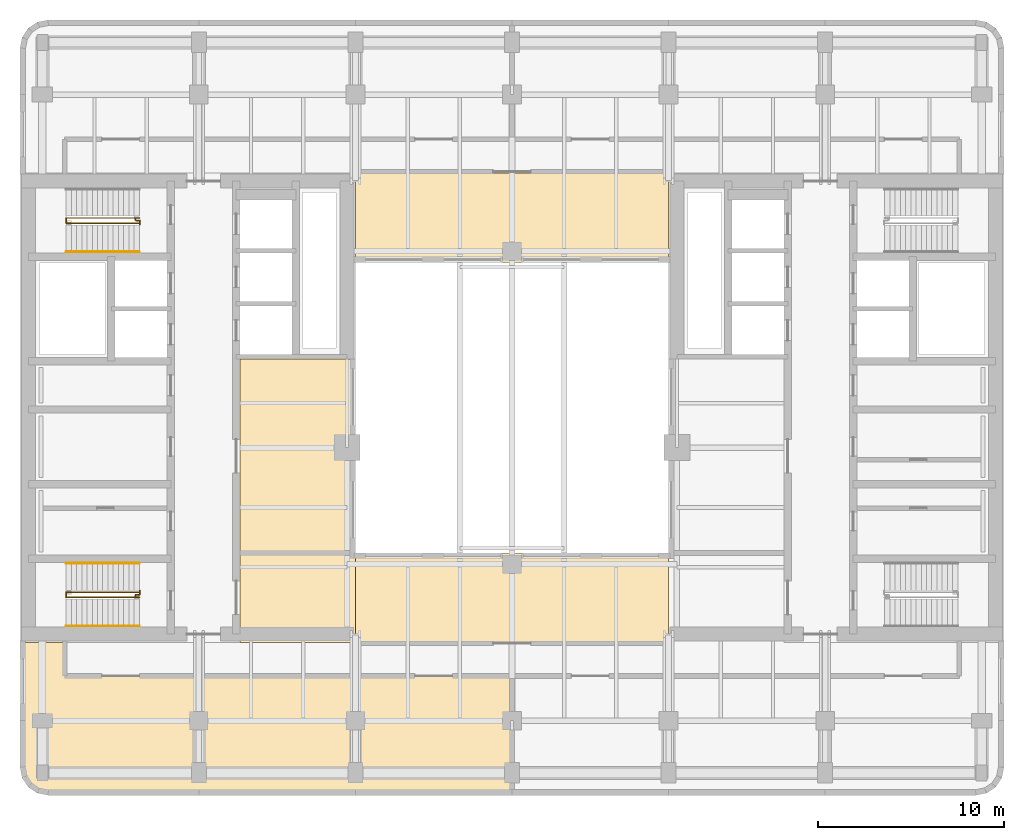
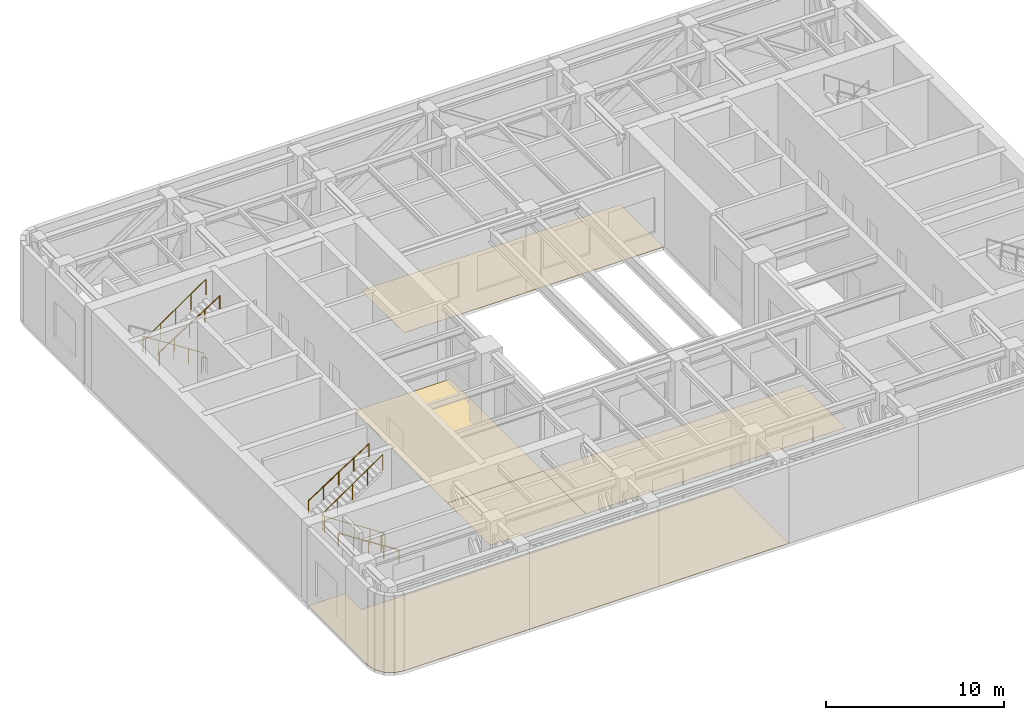
# One storey, part 8 of 10: 7 railings, 5 coverings.
"""IFC4 building model written with IfcOpenShell, lengths in metres."""

from ifc_helpers import new_model, si_unit, direction, frame, origin, origin_2d, place, context, subcontext, project, spatial, polyline, circle, outline, extrude, material, layer, layer_set, type_object, element, save


model = new_model("IFC4")

# Units and contexts
model_context = context("Model", 3, precision=1e-05, world=origin(), true_north=direction((0.0, 1.0)))
body_context = subcontext(model_context, "Body", "Model", "MODEL_VIEW")
ifc_project = project(units=[si_unit("LENGTHUNIT", "METRE"), si_unit("AREAUNIT", "SQUARE_METRE"), si_unit("VOLUMEUNIT", "CUBIC_METRE"), si_unit("PLANEANGLEUNIT", "RADIAN"), si_unit("MASSUNIT", "GRAM", prefix="KILO")], contexts=[model_context])

# Site, building, storey
site_placement = place(None, origin())
site = spatial("IfcSite", under=ifc_project, at=site_placement, CompositionType="ELEMENT")
building_placement = place(site_placement, origin())
building = spatial("IfcBuilding", under=site, at=building_placement, Name="Claustro Exchange Tower", CompositionType="ELEMENT")
storey_placement = place(building_placement, frame((0.0, 0.0, 244.800048828125)))
storey = spatial("IfcBuildingStorey", under=building, at=storey_placement, Name="L56", CompositionType="ELEMENT", Elevation=244.800048828125)

# Coverings
ifc_material_1 = material(Name="Epoxy resin floor finish", Category="resin")
ifc_layer = layer(ifc_material_1, 0.006103515625)
ifc_layer_set = layer_set([ifc_layer], Name="Epoxy resin floor finish")
covering_type = type_object("IfcCoveringType", Name="FL2 resin plant room floor", PredefinedType="FLOORING", material=ifc_layer_set)
covering_1_placement = place(storey_placement, origin())
element("IfcCovering", 1, at=covering_1_placement, inside=storey, type_object=covering_type, Name="Resin floor FL2 L56-01", PredefinedType="FLOORING", context=body_context, shape_type="SweptSolid", body=[
    extrude(outline(polyline([(-1.085693359375, 5.325927734375), (-0.7607421875, 4.83935546875), (-0.27392578125, 4.51416015625), (0.300048828125, 4.39990234375), (25.199951171875, 4.39990234375), (25.199951171875, 10.800048828125), (1.199951171875, 10.800048828125), (1.199951171875, 12.60009765625), (-1.199951171875, 12.60009765625), (-1.199951171875, 5.89990234375), (-1.085693359375, 5.325927734375)])), origin(), (0.0, 0.0, 1.0), 0.005859375),
])
covering_2_placement = place(storey_placement, origin())
element("IfcCovering", 2, at=covering_2_placement, inside=storey, type_object=covering_type, Name="Resin floor FL2 L56-04", PredefinedType="FLOORING", context=body_context, shape_type="SweptSolid", body=[
    extrude(outline(polyline([(16.800048828125, 17.39990234375), (10.60009765625, 17.39990234375), (10.60009765625, 12.60009765625), (16.800048828125, 12.60009765625), (16.800048828125, 17.39990234375)])), origin(), (0.0, 0.0, 1.0), 0.005859375),
])
covering_3_placement = place(storey_placement, origin())
element("IfcCovering", 3, at=covering_3_placement, inside=storey, type_object=covering_type, Name="Resin floor FL2 L56-05", PredefinedType="FLOORING", context=body_context, shape_type="SweptSolid", body=[
    extrude(outline(polyline([(33.60009765625, 17.39990234375), (16.800048828125, 17.39990234375), (16.800048828125, 12.60009765625), (33.60009765625, 12.60009765625), (33.60009765625, 17.39990234375)])), origin(), (0.0, 0.0, 1.0), 0.005859375),
])
covering_4_placement = place(storey_placement, origin())
element("IfcCovering", 4, at=covering_4_placement, inside=storey, type_object=covering_type, Name="Resin floor FL2 L56-06", PredefinedType="FLOORING", context=body_context, shape_type="SweptSolid", body=[
    extrude(outline(polyline([(16.800048828125, 17.39990234375), (16.800048828125, 27.800048828125), (10.60009765625, 27.800048828125), (10.60009765625, 17.39990234375), (16.800048828125, 17.39990234375)])), origin(), (0.0, 0.0, 1.0), 0.005859375),
])
covering_5_placement = place(storey_placement, origin())
element("IfcCovering", 5, at=covering_5_placement, inside=storey, type_object=covering_type, Name="Resin floor FL2 L56-08", PredefinedType="FLOORING", context=body_context, shape_type="SweptSolid", body=[
    extrude(outline(polyline([(33.60009765625, 33.0), (33.60009765625, 37.800048828125), (16.800048828125, 37.800048828125), (16.800048828125, 33.0), (33.60009765625, 33.0)])), origin(), (0.0, 0.0, 1.0), 0.005859375),
])

# Railings
ifc_material_2 = material(Name="Steel balustrade, painted", Category="steel")
railing_type_1 = type_object("IfcRailingType", Name="GR2 1100 steel stair guard", PredefinedType="GUARDRAIL", material=ifc_material_2)
railing_1_placement = place(storey_placement, frame((5.199951171875, 15.02490234375, 0.179931640625)))
element("IfcRailing", 6, at=railing_1_placement, inside=storey, type_object=railing_type_1, Name="Stair well guard GR2 stair STWA L56", PredefinedType="GUARDRAIL", context=body_context, shape_type="SweptSolid", body=[
    extrude(circle(Radius=0.02392578125, at=origin_2d()), frame((0.0, 0.0, 1.076171875), z_axis=(-0.841171666519, 0.0, 0.540768182723), x_axis=(0.0, -1.0, 0.0)), (0.0, 0.0, 1.0), 4.66015625),
    extrude(circle(Radius=0.02392578125, at=origin_2d()), frame((-3.919921875, 0.0, 3.59619140625), z_axis=(0.0, 1.0, 0.0), x_axis=(-1.0, 0.0, 0.0)), (0.0, 0.0, 1.0), 0.275146484375),
    extrude(circle(Radius=0.02392578125, at=origin_2d()), frame((-3.919921875, 0.275146484375, 3.59619140625), z_axis=(0.823550731654, 0.0, 0.567242622158), x_axis=(0.0, 1.0, 0.0)), (0.0, 0.0, 1.0), 4.759765625),
    extrude(circle(Radius=0.02099609375, at=origin_2d()), origin(), (0.0, 0.0, 1.0), 1.052001953125),
    extrude(circle(Radius=0.02099609375, at=origin_2d()), frame((-0.97998046875, 0.0, 0.6298828125)), (0.0, 0.0, 1.0), 1.052001953125),
    extrude(circle(Radius=0.02099609375, at=origin_2d()), frame((-1.9599609375, 0.0, 1.260009765625)), (0.0, 0.0, 1.0), 1.052001953125),
    extrude(circle(Radius=0.02099609375, at=origin_2d()), frame((-2.93994140625, 0.0, 1.89013671875)), (0.0, 0.0, 1.0), 1.052001953125),
    extrude(circle(Radius=0.02099609375, at=origin_2d()), frame((-3.919921875, 0.0, 2.52001953125)), (0.0, 0.0, 1.0), 1.052001953125),
    extrude(circle(Radius=0.02099609375, at=origin_2d()), frame((-3.919921875, 0.275146484375, 2.52001953125)), (0.0, 0.0, 1.0), 1.052001953125),
    extrude(circle(Radius=0.02099609375, at=origin_2d()), frame((-2.93994140625, 0.275146484375, 3.195068359375)), (0.0, 0.0, 1.0), 1.052001953125),
    extrude(circle(Radius=0.02099609375, at=origin_2d()), frame((-1.9599609375, 0.275146484375, 3.8701171875)), (0.0, 0.0, 1.0), 1.052001953125),
    extrude(circle(Radius=0.02099609375, at=origin_2d()), frame((-0.97998046875, 0.275146484375, 4.544921875)), (0.0, 0.0, 1.0), 1.052001953125),
    extrude(circle(Radius=0.02099609375, at=origin_2d()), frame((0.0, 0.275146484375, 5.219970703125)), (0.0, 0.0, 1.0), 1.052001953125),
])
railing_2_placement = place(storey_placement, frame((5.0, 15.094970703125, 0.0)))
element("IfcRailing", 7, at=railing_2_placement, inside=storey, type_object=railing_type_1, Name="Stair guard GR2 STWA L56", PredefinedType="GUARDRAIL", context=body_context, shape_type="SweptSolid", body=[
    extrude(circle(Radius=0.02392578125, at=origin_2d()), frame((0.0, 0.0, 1.076171875), z_axis=(0.0, 1.0, 0.0), x_axis=(-1.0, 0.0, 0.0)), (0.0, 0.0, 1.0), 0.067626953125),
    extrude(circle(Radius=0.02392578125, at=origin_2d()), frame((0.0, 0.067626953125, 1.076171875), z_axis=(1.0, 0.0, 0.0), x_axis=(0.0, 1.0, 0.0)), (0.0, 0.0, 1.0), 0.22509765625),
    extrude(circle(Radius=0.02392578125, at=origin_2d()), frame((0.22509765625, 0.067626953125, 1.076171875), z_axis=(0.0, 1.0, 0.0), x_axis=(-1.0, 0.0, 0.0)), (0.0, 0.0, 1.0), 0.21728515625),
    extrude(circle(Radius=0.02099609375, at=origin_2d()), origin(), (0.0, 0.0, 1.0), 1.052001953125),
    extrude(circle(Radius=0.02099609375, at=origin_2d()), frame((0.0, 0.067626953125, 0.0)), (0.0, 0.0, 1.0), 1.052001953125),
    extrude(circle(Radius=0.02099609375, at=origin_2d()), frame((0.22509765625, 0.067626953125, 0.0)), (0.0, 0.0, 1.0), 1.052001953125),
    extrude(circle(Radius=0.02099609375, at=origin_2d()), frame((0.22509765625, 0.284912109375, 0.0)), (0.0, 0.0, 1.0), 1.052001953125),
])
railing_3_placement = place(storey_placement, frame((5.199951171875, 35.375, 0.179931640625)))
element("IfcRailing", 8, at=railing_3_placement, inside=storey, type_object=railing_type_1, Name="Stair well guard GR2 stair STWB L56", PredefinedType="GUARDRAIL", context=body_context, shape_type="SweptSolid", body=[
    extrude(circle(Radius=0.02392578125, at=origin_2d()), frame((0.0, 0.0, 1.076171875), z_axis=(-0.841171666519, 0.0, 0.540768182723), x_axis=(0.0, -1.0, 0.0)), (0.0, 0.0, 1.0), 4.66015625),
    extrude(circle(Radius=0.02392578125, at=origin_2d()), frame((-3.919921875, 0.0, 3.59619140625), z_axis=(0.0, -1.0, 0.0), x_axis=(1.0, 0.0, 0.0)), (0.0, 0.0, 1.0), 0.27490234375),
    extrude(circle(Radius=0.02392578125, at=origin_2d()), frame((-3.919921875, -0.27490234375, 3.59619140625), z_axis=(0.823550731654, 0.0, 0.567242622158), x_axis=(0.0, 1.0, 0.0)), (0.0, 0.0, 1.0), 4.759765625),
    extrude(circle(Radius=0.02099609375, at=origin_2d()), origin(), (0.0, 0.0, 1.0), 1.052001953125),
    extrude(circle(Radius=0.02099609375, at=origin_2d()), frame((-0.97998046875, 0.0, 0.6298828125)), (0.0, 0.0, 1.0), 1.052001953125),
    extrude(circle(Radius=0.02099609375, at=origin_2d()), frame((-1.9599609375, 0.0, 1.260009765625)), (0.0, 0.0, 1.0), 1.052001953125),
    extrude(circle(Radius=0.02099609375, at=origin_2d()), frame((-2.93994140625, 0.0, 1.89013671875)), (0.0, 0.0, 1.0), 1.052001953125),
    extrude(circle(Radius=0.02099609375, at=origin_2d()), frame((-3.919921875, 0.0, 2.52001953125)), (0.0, 0.0, 1.0), 1.052001953125),
    extrude(circle(Radius=0.02099609375, at=origin_2d()), frame((-3.919921875, -0.27490234375, 2.52001953125)), (0.0, 0.0, 1.0), 1.052001953125),
    extrude(circle(Radius=0.02099609375, at=origin_2d()), frame((-2.93994140625, -0.27490234375, 3.195068359375)), (0.0, 0.0, 1.0), 1.052001953125),
    extrude(circle(Radius=0.02099609375, at=origin_2d()), frame((-1.9599609375, -0.27490234375, 3.8701171875)), (0.0, 0.0, 1.0), 1.052001953125),
    extrude(circle(Radius=0.02099609375, at=origin_2d()), frame((-0.97998046875, -0.27490234375, 4.544921875)), (0.0, 0.0, 1.0), 1.052001953125),
    extrude(circle(Radius=0.02099609375, at=origin_2d()), frame((0.0, -0.27490234375, 5.219970703125)), (0.0, 0.0, 1.0), 1.052001953125),
])
railing_4_placement = place(storey_placement, frame((5.0, 35.304931640625, 0.0)))
element("IfcRailing", 9, at=railing_4_placement, inside=storey, type_object=railing_type_1, Name="Stair guard GR2 STWB L56", PredefinedType="GUARDRAIL", context=body_context, shape_type="SweptSolid", body=[
    extrude(circle(Radius=0.02392578125, at=origin_2d()), frame((0.0, 0.0, 1.076171875), z_axis=(0.0, -1.0, 0.0), x_axis=(1.0, 0.0, 0.0)), (0.0, 0.0, 1.0), 0.0673828125),
    extrude(circle(Radius=0.02392578125, at=origin_2d()), frame((0.0, -0.0673828125, 1.076171875), z_axis=(1.0, 0.0, 0.0), x_axis=(0.0, 1.0, 0.0)), (0.0, 0.0, 1.0), 0.22509765625),
    extrude(circle(Radius=0.02392578125, at=origin_2d()), frame((0.22509765625, -0.0673828125, 1.076171875), z_axis=(0.0, -1.0, 0.0), x_axis=(1.0, 0.0, 0.0)), (0.0, 0.0, 1.0), 0.217529296875),
    extrude(circle(Radius=0.02099609375, at=origin_2d()), origin(), (0.0, 0.0, 1.0), 1.052001953125),
    extrude(circle(Radius=0.02099609375, at=origin_2d()), frame((0.0, -0.0673828125, 0.0)), (0.0, 0.0, 1.0), 1.052001953125),
    extrude(circle(Radius=0.02099609375, at=origin_2d()), frame((0.22509765625, -0.0673828125, 0.0)), (0.0, 0.0, 1.0), 1.052001953125),
    extrude(circle(Radius=0.02099609375, at=origin_2d()), frame((0.22509765625, -0.284912109375, 0.0)), (0.0, 0.0, 1.0), 1.052001953125),
])
ifc_material_3 = material(Name="Stainless steel tube", Category="steel")
railing_type_2 = type_object("IfcRailingType", Name="HR1 900 stair handrail", PredefinedType="HANDRAIL", material=ifc_material_3)
railing_5_placement = place(storey_placement, frame((5.199951171875, 13.485107421875, 0.179931640625)))
element("IfcRailing", 10, at=railing_5_placement, inside=storey, type_object=railing_type_2, Name="Handrail HR1 stair STWA L56", PredefinedType="HANDRAIL", context=body_context, shape_type="SweptSolid", body=[
    extrude(circle(Radius=0.02392578125, at=origin_2d()), frame((0.0, 0.0, 0.8759765625), z_axis=(-0.841171666519, 0.0, 0.540768182723), x_axis=(0.0, -1.0, 0.0)), (0.0, 0.0, 1.0), 4.66015625),
    extrude(circle(Radius=0.02099609375, at=origin_2d()), origin(), (0.0, 0.0, 1.0), 0.851806640625),
    extrude(circle(Radius=0.02099609375, at=origin_2d()), frame((-0.97998046875, 0.0, 0.6298828125)), (0.0, 0.0, 1.0), 0.851806640625),
    extrude(circle(Radius=0.02099609375, at=origin_2d()), frame((-1.9599609375, 0.0, 1.260009765625)), (0.0, 0.0, 1.0), 0.851806640625),
    extrude(circle(Radius=0.02099609375, at=origin_2d()), frame((-2.93994140625, 0.0, 1.89013671875)), (0.0, 0.0, 1.0), 0.851806640625),
    extrude(circle(Radius=0.02099609375, at=origin_2d()), frame((-3.919921875, 0.0, 2.52001953125)), (0.0, 0.0, 1.0), 0.851806640625),
])
for number, where, name in (
    (11, (1.280029296875, 16.840087890625, 2.8798828125), "Handrail HR1 stair STWA L56"),
    (12, (1.280029296875, 33.56005859375, 2.8798828125), "Handrail HR1 stair STWB L56"),
):
    element("IfcRailing", number, at=place(storey_placement, frame(where)), inside=storey, type_object=railing_type_2, Name=name, PredefinedType="HANDRAIL", context=body_context, shape_type="SweptSolid", body=[
        extrude(circle(Radius=0.02392578125, at=origin_2d()), frame((0.0, 0.0, 0.8759765625), z_axis=(0.841171666519, 0.0, 0.540768182723), x_axis=(0.0, 1.0, 0.0)), (0.0, 0.0, 1.0), 4.66015625),
        extrude(circle(Radius=0.02099609375, at=origin_2d()), origin(), (0.0, 0.0, 1.0), 0.851806640625),
        extrude(circle(Radius=0.02099609375, at=origin_2d()), frame((0.97998046875, 0.0, 0.6298828125)), (0.0, 0.0, 1.0), 0.851806640625),
        extrude(circle(Radius=0.02099609375, at=origin_2d()), frame((1.9599609375, 0.0, 1.260009765625)), (0.0, 0.0, 1.0), 0.851806640625),
        extrude(circle(Radius=0.02099609375, at=origin_2d()), frame((2.93994140625, 0.0, 1.89013671875)), (0.0, 0.0, 1.0), 0.851806640625),
        extrude(circle(Radius=0.02099609375, at=origin_2d()), frame((3.919921875, 0.0, 2.52001953125)), (0.0, 0.0, 1.0), 0.851806640625),
    ])

save(model, "model.ifc")
